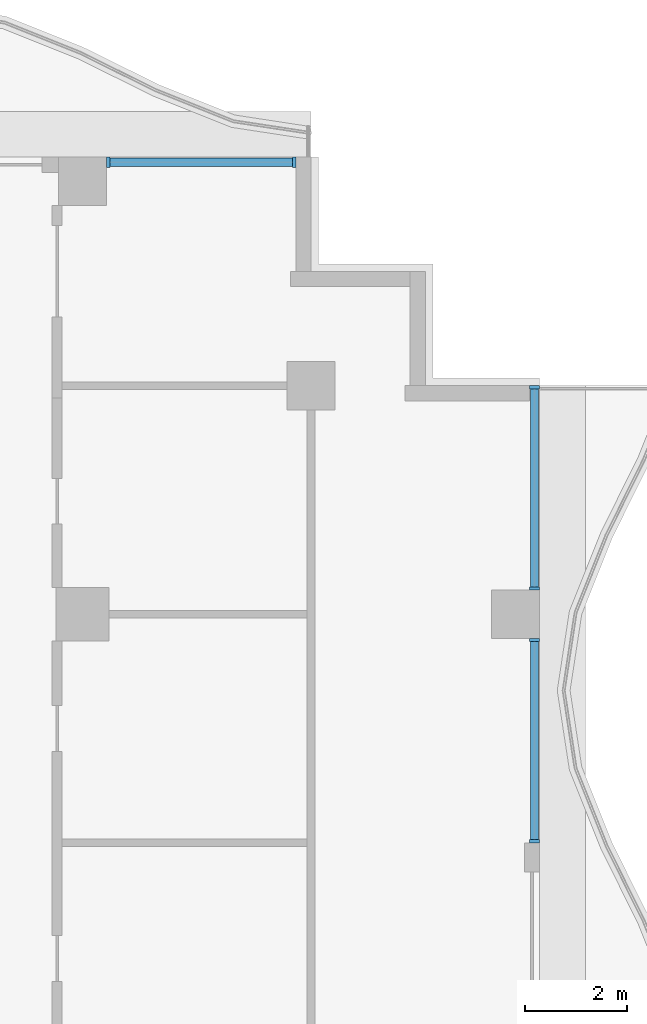
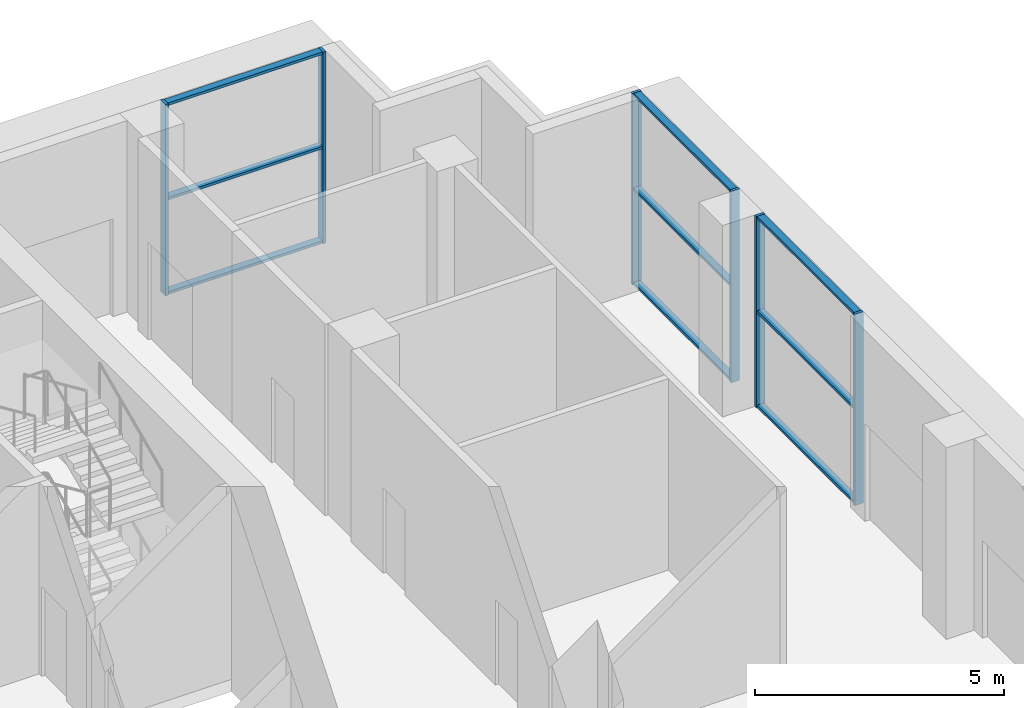
# One storey, part 5 of 15: 15 members, 3 elements without a shape of their own.
"""IFC4 building model written with IfcOpenShell, lengths in metres."""

from ifc_helpers import new_model, si_unit, direction, frame, origin, origin_2d, place, context, subcontext, project, spatial, rectangle, extrude, material, material_profile, profile_set, type_object, element, aggregate, save


model = new_model("IFC4")

# Units and contexts
model_context = context("Model", 3, precision=1e-05, world=origin(), true_north=direction((0.0, 1.0)))
body_context = subcontext(model_context, "Body", "Model", "MODEL_VIEW")
ifc_project = project(units=[si_unit("LENGTHUNIT", "METRE"), si_unit("AREAUNIT", "SQUARE_METRE"), si_unit("VOLUMEUNIT", "CUBIC_METRE"), si_unit("PLANEANGLEUNIT", "RADIAN"), si_unit("MASSUNIT", "GRAM", prefix="KILO")], contexts=[model_context])

# Site, building, storey
site_placement = place(None, origin())
site = spatial("IfcSite", under=ifc_project, at=site_placement, CompositionType="ELEMENT")
building_placement = place(site_placement, origin())
building = spatial("IfcBuilding", under=site, at=building_placement, Name="Orbiselva Terraces", CompositionType="ELEMENT")
storey_placement = place(building_placement, frame((0.0, 0.0, 233.8)))
storey = spatial("IfcBuildingStorey", under=building, at=storey_placement, Name="L59", CompositionType="ELEMENT", Elevation=233.8)

# Curtain wall, members
ifc_material_1 = material(Name="Clear low-e glazing in aluminium frame", Category="aluminium")
curtain_wall_type = type_object("IfcCurtainWallType", Name="ENV-CW-SKY", PredefinedType="NOTDEFINED", material=ifc_material_1)
curtain_wall_1_placement = place(storey_placement, origin())
curtain_wall_1 = element("IfcCurtainWall", 1, at=curtain_wall_1_placement, inside=storey, type_object=curtain_wall_type, Name="Curtain wall L59 E", PredefinedType="NOTDEFINED")
ifc_material_2 = material(Name="Anodised aluminium", Category="aluminium")
ifc_material_profile_1 = material_profile(ifc_material_2, rectangle(XDim=0.2, YDim=0.065, at=origin_2d()), Name="AL 65x200")
ifc_profile_set_1 = profile_set([ifc_material_profile_1], Name="Anodised aluminium")
member_type_1 = type_object("IfcMemberType", Name="ENV-CW-SKY-MULLION-65x200", PredefinedType="MULLION", material=ifc_profile_set_1)
member_1_placement = place(storey_placement, frame((26.9, 9.0325, 0.0), z_axis=(0.0, 0.0, 1.0), x_axis=(-1.0, 0.0, 0.0)))
member_1 = element("IfcMember", 2, at=member_1_placement, type_object=member_type_1, Name="CW3 mullion 1", PredefinedType="MULLION", context=body_context, shape_type="SweptSolid", body=[
    extrude(rectangle(XDim=0.2, YDim=0.065, at=origin_2d()), origin(), (0.0, 0.0, 1.0), 4.7),
])
member_2_placement = place(storey_placement, frame((26.9, 12.9925, 0.0), z_axis=(0.0, 0.0, 1.0), x_axis=(-1.0, 0.0, 0.0)))
member_2 = element("IfcMember", 3, at=member_2_placement, type_object=member_type_1, Name="CW3 mullion 2", PredefinedType="MULLION", context=body_context, shape_type="SweptSolid", body=[
    extrude(rectangle(XDim=0.2, YDim=0.065, at=origin_2d()), origin(), (0.0, 0.0, 1.0), 4.7),
])

curtain_wall_2_placement = place(storey_placement, origin())
curtain_wall_2 = element("IfcCurtainWall", 4, at=curtain_wall_2_placement, inside=storey, type_object=curtain_wall_type, Name="Curtain wall L59 E", PredefinedType="NOTDEFINED")
member_3_placement = place(storey_placement, frame((26.9, 14.0075, 0.0), z_axis=(0.0, 0.0, 1.0), x_axis=(-1.0, 0.0, 0.0)))
member_3 = element("IfcMember", 5, at=member_3_placement, type_object=member_type_1, Name="CW3 mullion 1", PredefinedType="MULLION", context=body_context, shape_type="SweptSolid", body=[
    extrude(rectangle(XDim=0.2, YDim=0.065, at=origin_2d()), origin(), (0.0, 0.0, 1.0), 4.7),
])
member_4_placement = place(storey_placement, frame((26.9, 17.9675, 0.0), z_axis=(0.0, 0.0, 1.0), x_axis=(-1.0, 0.0, 0.0)))
member_4 = element("IfcMember", 6, at=member_4_placement, type_object=member_type_1, Name="CW3 mullion 2", PredefinedType="MULLION", context=body_context, shape_type="SweptSolid", body=[
    extrude(rectangle(XDim=0.2, YDim=0.065, at=origin_2d()), origin(), (0.0, 0.0, 1.0), 4.7),
])

curtain_wall_3_placement = place(storey_placement, origin())
curtain_wall_3 = element("IfcCurtainWall", 7, at=curtain_wall_3_placement, inside=storey, type_object=curtain_wall_type, Name="Curtain wall L59 NE", PredefinedType="NOTDEFINED")
member_5_placement = place(storey_placement, frame((22.1675, 22.4, 0.0), z_axis=(0.0, 0.0, 1.0), x_axis=(0.0, -1.0, 0.0)))
member_5 = element("IfcMember", 8, at=member_5_placement, type_object=member_type_1, Name="CW3 mullion 1", PredefinedType="MULLION", context=body_context, shape_type="SweptSolid", body=[
    extrude(rectangle(XDim=0.2, YDim=0.065, at=origin_2d()), origin(), (0.0, 0.0, 1.0), 4.7),
])
member_6_placement = place(storey_placement, frame((18.5075, 22.4, 0.0), z_axis=(0.0, 0.0, 1.0), x_axis=(0.0, -1.0, 0.0)))
member_6 = element("IfcMember", 9, at=member_6_placement, type_object=member_type_1, Name="CW3 mullion 2", PredefinedType="MULLION", context=body_context, shape_type="SweptSolid", body=[
    extrude(rectangle(XDim=0.2, YDim=0.065, at=origin_2d()), origin(), (0.0, 0.0, 1.0), 4.7),
])

# Member
ifc_material_profile_2 = material_profile(ifc_material_2, rectangle(XDim=0.16, YDim=0.065, at=origin_2d()), Name="AL 65x160")
ifc_profile_set_2 = profile_set([ifc_material_profile_2], Name="Anodised aluminium")
member_type_2 = type_object("IfcMemberType", Name="ENV-CW-SKY-TRANSOM-65x160", PredefinedType="USERDEFINED", material=ifc_profile_set_2)
member_7_placement = place(storey_placement, frame((26.9, 9.065, 0.0325), z_axis=(0.0, 1.0, 0.0), x_axis=(-1.0, 0.0, 0.0)))
member_7 = element("IfcMember", 10, at=member_7_placement, type_object=member_type_2, Name="CW3 transom 1.1", ObjectType="TRANSOM", PredefinedType="USERDEFINED", context=body_context, shape_type="SweptSolid", body=[
    extrude(rectangle(XDim=0.16, YDim=0.065, at=origin_2d()), origin(), (0.0, 0.0, 1.0), 3.895),
])

member_8_placement = place(storey_placement, frame((26.9, 9.065, 2.35), z_axis=(0.0, 1.0, 0.0), x_axis=(-1.0, 0.0, 0.0)))
member_8 = element("IfcMember", 11, at=member_8_placement, type_object=member_type_2, Name="CW3 transom 1.2", ObjectType="TRANSOM", PredefinedType="USERDEFINED", context=body_context, shape_type="SweptSolid", body=[
    extrude(rectangle(XDim=0.16, YDim=0.065, at=origin_2d()), origin(), (0.0, 0.0, 1.0), 3.895),
])

member_9_placement = place(storey_placement, frame((26.9, 9.065, 4.6675), z_axis=(0.0, 1.0, 0.0), x_axis=(-1.0, 0.0, 0.0)))
member_9 = element("IfcMember", 12, at=member_9_placement, type_object=member_type_2, Name="CW3 transom 1.3", ObjectType="TRANSOM", PredefinedType="USERDEFINED", context=body_context, shape_type="SweptSolid", body=[
    extrude(rectangle(XDim=0.16, YDim=0.065, at=origin_2d()), origin(), (0.0, 0.0, 1.0), 3.895),
])

aggregate(curtain_wall_1, [member_1, member_2, member_7, member_8, member_9])

member_10_placement = place(storey_placement, frame((26.9, 14.04, 0.0325), z_axis=(0.0, 1.0, 0.0), x_axis=(-1.0, 0.0, 0.0)))
member_10 = element("IfcMember", 13, at=member_10_placement, type_object=member_type_2, Name="CW3 transom 1.1", ObjectType="TRANSOM", PredefinedType="USERDEFINED", context=body_context, shape_type="SweptSolid", body=[
    extrude(rectangle(XDim=0.16, YDim=0.065, at=origin_2d()), origin(), (0.0, 0.0, 1.0), 3.895),
])

member_11_placement = place(storey_placement, frame((26.9, 14.04, 2.35), z_axis=(0.0, 1.0, 0.0), x_axis=(-1.0, 0.0, 0.0)))
member_11 = element("IfcMember", 14, at=member_11_placement, type_object=member_type_2, Name="CW3 transom 1.2", ObjectType="TRANSOM", PredefinedType="USERDEFINED", context=body_context, shape_type="SweptSolid", body=[
    extrude(rectangle(XDim=0.16, YDim=0.065, at=origin_2d()), origin(), (0.0, 0.0, 1.0), 3.895),
])

member_12_placement = place(storey_placement, frame((26.9, 14.04, 4.6675), z_axis=(0.0, 1.0, 0.0), x_axis=(-1.0, 0.0, 0.0)))
member_12 = element("IfcMember", 15, at=member_12_placement, type_object=member_type_2, Name="CW3 transom 1.3", ObjectType="TRANSOM", PredefinedType="USERDEFINED", context=body_context, shape_type="SweptSolid", body=[
    extrude(rectangle(XDim=0.16, YDim=0.065, at=origin_2d()), origin(), (0.0, 0.0, 1.0), 3.895),
])

aggregate(curtain_wall_2, [member_3, member_4, member_10, member_11, member_12])

member_13_placement = place(storey_placement, frame((22.135, 22.4, 0.0325), z_axis=(-1.0, 0.0, 0.0), x_axis=(0.0, -1.0, 0.0)))
member_13 = element("IfcMember", 16, at=member_13_placement, type_object=member_type_2, Name="CW3 transom 1.1", ObjectType="TRANSOM", PredefinedType="USERDEFINED", context=body_context, shape_type="SweptSolid", body=[
    extrude(rectangle(XDim=0.16, YDim=0.065, at=origin_2d()), origin(), (0.0, 0.0, 1.0), 3.595),
])

member_14_placement = place(storey_placement, frame((22.135, 22.4, 2.35), z_axis=(-1.0, 0.0, 0.0), x_axis=(0.0, -1.0, 0.0)))
member_14 = element("IfcMember", 17, at=member_14_placement, type_object=member_type_2, Name="CW3 transom 1.2", ObjectType="TRANSOM", PredefinedType="USERDEFINED", context=body_context, shape_type="SweptSolid", body=[
    extrude(rectangle(XDim=0.16, YDim=0.065, at=origin_2d()), origin(), (0.0, 0.0, 1.0), 3.595),
])

member_15_placement = place(storey_placement, frame((22.135, 22.4, 4.6675), z_axis=(-1.0, 0.0, 0.0), x_axis=(0.0, -1.0, 0.0)))
member_15 = element("IfcMember", 18, at=member_15_placement, type_object=member_type_2, Name="CW3 transom 1.3", ObjectType="TRANSOM", PredefinedType="USERDEFINED", context=body_context, shape_type="SweptSolid", body=[
    extrude(rectangle(XDim=0.16, YDim=0.065, at=origin_2d()), origin(), (0.0, 0.0, 1.0), 3.595),
])

aggregate(curtain_wall_3, [member_5, member_6, member_13, member_14, member_15])

save(model, "model.ifc")
